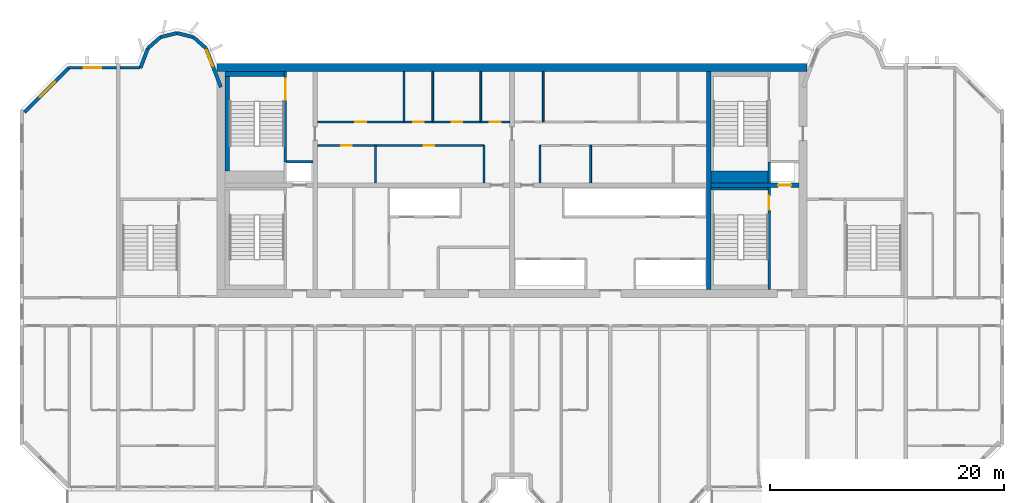
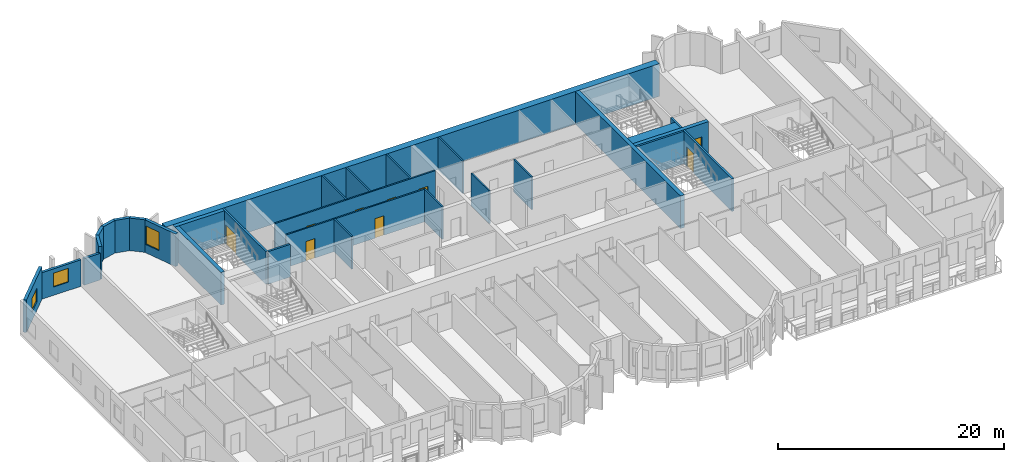
# One storey, part 7 of 13: 30 walls, 9 doors, 3 windows, 12 openings.
"""IFC4 building model written with IfcOpenShell, lengths in metres."""

from ifc_helpers import new_model, si_unit, direction, frame, frame_2d, origin, place, context, subcontext, project, spatial, rectangle, extrude, source, transform, mapped, material, layer, layer_set, type_object, element, fill, save


model = new_model("IFC4")

# Units and contexts
model_context = context("Model", 3, precision=1e-05, world=origin(), true_north=direction((0.0, 1.0)))
body_context = subcontext(model_context, "Body", "Model", "MODEL_VIEW")
ifc_project = project(units=[si_unit("LENGTHUNIT", "METRE"), si_unit("AREAUNIT", "SQUARE_METRE"), si_unit("VOLUMEUNIT", "CUBIC_METRE"), si_unit("PLANEANGLEUNIT", "RADIAN"), si_unit("MASSUNIT", "GRAM", prefix="KILO")], contexts=[model_context])

# Site, building, storey
site_placement = place(None, origin())
site = spatial("IfcSite", under=ifc_project, at=site_placement, CompositionType="ELEMENT")
building_placement = place(site_placement, origin())
building = spatial("IfcBuilding", under=site, at=building_placement, Name="Vanashikhar Sky Hotel", CompositionType="ELEMENT")
storey_placement = place(building_placement, frame((0.0, 0.0, 166.800048828125)))
storey = spatial("IfcBuildingStorey", under=building, at=storey_placement, Name="L40", CompositionType="ELEMENT", Elevation=166.800048828125)

# Walls
ifc_material_1 = material(Name="Concrete M60", Category="concrete")
ifc_layer_1 = layer(ifc_material_1, 0.39990234375)
ifc_layer_set_1 = layer_set([ifc_layer_1], Name="RC core inner wall 400 Concrete M60")
wall_type_1 = type_object("IfcWallType", Name="RC core inner wall 400 Concrete M60", PredefinedType="SHEAR", material=ifc_layer_set_1)
shared_shape_1 = source(origin(), body_context, "Body", "SweptSolid", [
    extrude(rectangle(XDim=18.60009765625, YDim=0.39990234375, at=frame_2d((9.300048828125, 0.0))), origin(), (0.0, 0.0, 1.0), 3.52001953125),
])
wall_1_placement = place(storey_placement, frame((67.199951171875, 22.699951171875, 0.0), z_axis=(0.0, 0.0, 1.0), x_axis=(0.0, 1.0, 0.0)))
element("IfcWall", 1, at=wall_1_placement, inside=storey, type_object=wall_type_1, Name="KW-L40-KX3", PredefinedType="SHEAR", context=body_context, shape_type="MappedRepresentation", body=[
    mapped(shared_shape_1, transform((0.0, 0.0, 0.0), scale=1.0)),
])
ifc_layer_2 = layer(ifc_material_1, 0.699951171875)
ifc_layer_set_2 = layer_set([ifc_layer_2], Name="RC core shell wall 700 Concrete M60")
wall_type_2 = type_object("IfcWallType", Name="RC core shell wall 700 Concrete M60", PredefinedType="SHEAR", material=ifc_layer_set_2)
shared_shape_2 = source(origin(), body_context, "Body", "SweptSolid", [
    extrude(rectangle(XDim=50.400146484375, YDim=0.699951171875, at=frame_2d((25.2001953125, 0.0))), origin(), (0.0, 0.0, 1.0), 3.52001953125),
])
wall_2_placement = place(storey_placement, frame((25.199951171875, 41.64990234375, 0.0), z_axis=(0.0, 0.0, 1.0), x_axis=(1.0, 0.0, 0.0)))
element("IfcWall", 2, at=wall_2_placement, inside=storey, type_object=wall_type_2, Name="KW-L40-KN", PredefinedType="SHEAR", context=body_context, shape_type="MappedRepresentation", body=[
    mapped(shared_shape_2, transform((0.0, 0.0, 0.0), scale=1.0)),
])

# Wall, opening, door
shared_shape_3 = source(origin(), body_context, "Body", "SweptSolid", [
    extrude(rectangle(XDim=7.5, YDim=0.39990234375, at=frame_2d((3.75, 0.0))), origin(), (0.0, 0.0, 1.0), 3.52001953125),
])
wall_3_placement = place(storey_placement, frame((67.39990234375, 31.60009765625, 0.0), z_axis=(0.0, 0.0, 1.0), x_axis=(1.0, 0.0, 0.0)))
wall_3 = element("IfcWall", 3, at=wall_3_placement, inside=storey, type_object=wall_type_1, Name="KW-L40-KY4", PredefinedType="SHEAR", context=body_context, shape_type="MappedRepresentation", body=[
    mapped(shared_shape_3, transform((0.0, 0.0, 0.0), scale=1.0)),
])
shared_shape_4 = source(origin(), body_context, "Body", "SweptSolid", [
    extrude(rectangle(XDim=1.10009765625, YDim=2.10009765625, at=frame_2d((0.550048828125, 1.050048828125))), frame((0.0, 0.2099609375, 0.0), z_axis=(0.0, -1.0, 0.0), x_axis=(1.0, 0.0, 0.0)), (0.0, 0.0, 1.0), 0.419921875),
])
opening_1_placement = place(wall_3_placement, frame((5.72509765625, 0.0, 0.0)))
opening_1 = element("IfcOpeningElement", 4, at=opening_1_placement, cuts=wall_3, Name="Opening LD", PredefinedType="OPENING", context=body_context, shape_type="MappedRepresentation", body=[
    mapped(shared_shape_4, transform((0.0, 0.0, 0.0), scale=1.0)),
])
ifc_material_2 = material(Name="Stainless steel", Category="steel")
door_type_1 = type_object("IfcDoorType", Name="Lift landing door 1100", OperationType="NOTDEFINED", PredefinedType="DOOR", material=ifc_material_2)
shared_shape_5 = source(origin(), body_context, "Body", "SweptSolid", [
    extrude(rectangle(XDim=1.10009765625, YDim=2.10009765625, at=frame_2d((0.550048828125, 1.050048828125))), frame((0.0, 0.02490234375, 0.0), z_axis=(0.0, -1.0, 0.0), x_axis=(1.0, 0.0, 0.0)), (0.0, 0.0, 1.0), 0.050048828125),
])
door_1_placement = place(opening_1_placement, origin())
door_1 = element("IfcDoor", 5, at=door_1_placement, inside=storey, type_object=door_type_1, Name="Lift landing door 1100", OperationType="SLIDING_TO_LEFT", OverallHeight=2.10009765625, OverallWidth=1.10009765625, PredefinedType="DOOR", context=body_context, shape_type="MappedRepresentation", body=[
    mapped(shared_shape_5, transform((0.0, 0.0, 0.0), scale=1.0)),
])
fill(opening_1, door_1)

# Wall, opening, window
ifc_material_3 = material(Name="Concrete M50", Category="concrete")
ifc_layer_3 = layer(ifc_material_3, 0.300048828125)
ifc_layer_set_3 = layer_set([ifc_layer_3], Name="Lobe wall 300")
wall_type_3 = type_object("IfcWallType", Name="Lobe wall 300", PredefinedType="SOLIDWALL", material=ifc_layer_set_3)
shared_shape_6 = source(origin(), body_context, "Body", "SweptSolid", [
    extrude(rectangle(XDim=5.32568359375, YDim=0.300048828125, at=frame_2d((2.662841796875, 0.0))), origin(), (0.0, 0.0, 1.0), 3.52001953125),
])
wall_4_placement = place(storey_placement, frame((12.565673828125, 41.60009765625, 0.0), z_axis=(0.0, 0.0, 1.0), x_axis=(-0.707083859269, -0.707129702361, 0.0)))
wall_4 = element("IfcWall", 6, at=wall_4_placement, inside=storey, type_object=wall_type_3, Name="Corner wall", PredefinedType="SOLIDWALL", context=body_context, shape_type="MappedRepresentation", body=[
    mapped(shared_shape_6, transform((0.0, 0.0, 0.0), scale=1.0)),
])
shared_shape_7 = source(origin(), body_context, "Body", "SweptSolid", [
    extrude(rectangle(XDim=1.800048828125, YDim=1.5, at=frame_2d((0.89990234375, 0.75))), frame((0.0, 0.16015625, 0.0), z_axis=(0.0, -1.0, 0.0), x_axis=(1.0, 0.0, 0.0)), (0.0, 0.0, 1.0), 0.320068359375),
])
opening_2_placement = place(wall_4_placement, frame((1.689453125, 0.0, 0.89990234375)))
opening_2 = element("IfcOpeningElement", 7, at=opening_2_placement, cuts=wall_4, Name="Opening WN-4", PredefinedType="OPENING", context=body_context, shape_type="MappedRepresentation", body=[
    mapped(shared_shape_7, transform((0.0, 0.0, 0.0), scale=1.0)),
])
ifc_material_4 = material(Name="Glass", Category="glass")
window_type_1 = type_object("IfcWindowType", Name="Corner window 1800 x 1500", PartitioningType="SINGLE_PANEL", PredefinedType="WINDOW", material=ifc_material_4)
shared_shape_8 = source(origin(), body_context, "Body", "SweptSolid", [
    extrude(rectangle(XDim=1.800048828125, YDim=1.5, at=frame_2d((0.89990234375, 0.75))), frame((0.0, 0.030029296875, 0.0), z_axis=(0.0, -1.0, 0.0), x_axis=(1.0, 0.0, 0.0)), (0.0, 0.0, 1.0), 0.06005859375),
])
window_1_placement = place(opening_2_placement, origin())
window_1 = element("IfcWindow", 8, at=window_1_placement, inside=storey, type_object=window_type_1, Name="Window WN-4", OverallHeight=1.5, OverallWidth=1.800048828125, PartitioningType="SINGLE_PANEL", PredefinedType="WINDOW", context=body_context, shape_type="MappedRepresentation", body=[
    mapped(shared_shape_8, transform((0.0, 0.0, 0.0), scale=1.0)),
])
fill(opening_2, window_1)

shared_shape_9 = source(origin(), body_context, "Body", "SweptSolid", [
    extrude(rectangle(XDim=3.55908203125, YDim=0.300048828125, at=frame_2d((1.779541015625, 0.0))), origin(), (0.0, 0.0, 1.0), 3.52001953125),
])
wall_5_placement = place(storey_placement, frame((25.550048828125, 39.968505859375, 0.0), z_axis=(0.0, 0.0, 1.0), x_axis=(-0.35779745313, 0.933799219604, 0.0)))
wall_5 = element("IfcWall", 9, at=wall_5_placement, inside=storey, type_object=wall_type_3, Name="Lobe wall", PredefinedType="SOLIDWALL", context=body_context, shape_type="MappedRepresentation", body=[
    mapped(shared_shape_9, transform((0.0, 0.0, 0.0), scale=1.0)),
])
shared_shape_10 = source(origin(), body_context, "Body", "SweptSolid", [
    extrude(rectangle(XDim=1.5, YDim=2.0, at=frame_2d((0.75, 1.0))), frame((0.0, 0.16015625, 0.0), z_axis=(0.0, -1.0, 0.0), x_axis=(1.0, 0.0, 0.0)), (0.0, 0.0, 1.0), 0.320068359375),
])
opening_3_placement = place(wall_5_placement, frame((1.9033203125, 0.0, 0.89990234375)))
opening_3 = element("IfcOpeningElement", 10, at=opening_3_placement, cuts=wall_5, Name="Opening WN-2", PredefinedType="OPENING", context=body_context, shape_type="MappedRepresentation", body=[
    mapped(shared_shape_10, transform((0.0, 0.0, 0.0), scale=1.0)),
])
window_type_2 = type_object("IfcWindowType", Name="Lobe window 1500 x 2000", PartitioningType="SINGLE_PANEL", PredefinedType="WINDOW", material=ifc_material_4)
shared_shape_11 = source(origin(), body_context, "Body", "SweptSolid", [
    extrude(rectangle(XDim=1.5, YDim=2.0, at=frame_2d((0.75, 1.0))), frame((0.0, 0.030029296875, 0.0), z_axis=(0.0, -1.0, 0.0), x_axis=(1.0, 0.0, 0.0)), (0.0, 0.0, 1.0), 0.06005859375),
])
window_2_placement = place(opening_3_placement, origin())
window_2 = element("IfcWindow", 11, at=window_2_placement, inside=storey, type_object=window_type_2, Name="Window WN-2", OverallHeight=2.0, OverallWidth=1.5, PartitioningType="SINGLE_PANEL", PredefinedType="WINDOW", context=body_context, shape_type="MappedRepresentation", body=[
    mapped(shared_shape_11, transform((0.0, 0.0, 0.0), scale=1.0)),
])
fill(opening_3, window_2)

# Walls
shared_shape_12 = source(origin(), body_context, "Body", "SweptSolid", [
    extrude(rectangle(XDim=1.440185546875, YDim=0.300048828125, at=frame_2d((0.72021484375, 0.0))), origin(), (0.0, 0.0, 1.0), 3.52001953125),
])
wall_6_placement = place(storey_placement, frame((24.276611328125, 43.2919921875, 0.0), z_axis=(0.0, 0.0, 1.0), x_axis=(-0.749649827867, 0.661834673902, 0.0)))
element("IfcWall", 12, at=wall_6_placement, inside=storey, type_object=wall_type_3, Name="Lobe wall", PredefinedType="SOLIDWALL", context=body_context, shape_type="MappedRepresentation", body=[
    mapped(shared_shape_12, transform((0.0, 0.0, 0.0), scale=1.0)),
])
shared_shape_13 = source(origin(), body_context, "Body", "SweptSolid", [
    extrude(rectangle(XDim=1.4384765625, YDim=0.300048828125, at=frame_2d((0.71923828125, 0.0))), origin(), (0.0, 0.0, 1.0), 3.52001953125),
])
wall_7_placement = place(storey_placement, frame((23.197021484375, 44.2451171875, 0.0), z_axis=(0.0, 0.0, 1.0), x_axis=(-0.971152283879, 0.238460146601, 0.0)))
element("IfcWall", 13, at=wall_7_placement, inside=storey, type_object=wall_type_3, Name="Lobe wall", PredefinedType="SOLIDWALL", context=body_context, shape_type="MappedRepresentation", body=[
    mapped(shared_shape_13, transform((0.0, 0.0, 0.0), scale=1.0)),
])
shared_shape_14 = source(origin(), body_context, "Body", "SweptSolid", [
    extrude(rectangle(XDim=1.438720703125, YDim=0.300048828125, at=frame_2d((0.71923828125, 0.0))), origin(), (0.0, 0.0, 1.0), 3.52001953125),
])
wall_8_placement = place(storey_placement, frame((21.800048828125, 44.588134765625, 0.0), z_axis=(0.0, 0.0, 1.0), x_axis=(-0.971161932466, -0.238420848351, 0.0)))
element("IfcWall", 14, at=wall_8_placement, inside=storey, type_object=wall_type_3, Name="Lobe wall", PredefinedType="SOLIDWALL", context=body_context, shape_type="MappedRepresentation", body=[
    mapped(shared_shape_14, transform((0.0, 0.0, 0.0), scale=1.0)),
])
shared_shape_15 = source(origin(), body_context, "Body", "SweptSolid", [
    extrude(rectangle(XDim=1.43994140625, YDim=0.300048828125, at=frame_2d((0.719970703125, 0.0))), origin(), (0.0, 0.0, 1.0), 3.52001953125),
])
wall_9_placement = place(storey_placement, frame((20.40283203125, 44.2451171875, 0.0), z_axis=(0.0, 0.0, 1.0), x_axis=(-0.74957555648, -0.661918790432, 0.0)))
element("IfcWall", 15, at=wall_9_placement, inside=storey, type_object=wall_type_3, Name="Lobe wall", PredefinedType="SOLIDWALL", context=body_context, shape_type="MappedRepresentation", body=[
    mapped(shared_shape_15, transform((0.0, 0.0, 0.0), scale=1.0)),
])
shared_shape_16 = source(origin(), body_context, "Body", "SweptSolid", [
    extrude(rectangle(XDim=1.81201171875, YDim=0.300048828125, at=frame_2d((0.906005859375, 0.0))), origin(), (0.0, 0.0, 1.0), 3.52001953125),
])
wall_10_placement = place(storey_placement, frame((19.323486328125, 43.2919921875, 0.0), z_axis=(0.0, 0.0, 1.0), x_axis=(-0.357877270961, -0.93376863244, 0.0)))
element("IfcWall", 16, at=wall_10_placement, inside=storey, type_object=wall_type_3, Name="Lobe wall", PredefinedType="SOLIDWALL", context=body_context, shape_type="MappedRepresentation", body=[
    mapped(shared_shape_16, transform((0.0, 0.0, 0.0), scale=1.0)),
])
ifc_layer_4 = layer(ifc_material_3, 0.25)
ifc_layer_set_4 = layer_set([ifc_layer_4], Name="Rear and end board-marked wall 250")
wall_type_4 = type_object("IfcWallType", Name="Rear and end board-marked wall 250", PredefinedType="SOLIDWALL", material=ifc_layer_set_4)
shared_shape_17 = source(origin(), body_context, "Body", "SweptSolid", [
    extrude(rectangle(XDim=1.7080078125, YDim=0.25, at=frame_2d((0.85400390625, 0.0))), origin(), (0.0, 0.0, 1.0), 2.869873046875),
])
wall_11_placement = place(storey_placement, frame((18.657958984375, 41.625, 0.0), z_axis=(0.0, 0.0, 1.0), x_axis=(-1.0, 0.0, 0.0)))
element("IfcWall", 17, at=wall_11_placement, inside=storey, type_object=wall_type_4, Name="Rear board-marked wall", PredefinedType="SOLIDWALL", context=body_context, shape_type="MappedRepresentation", body=[
    mapped(shared_shape_17, transform((0.0, 0.0, 0.0), scale=1.0)),
])

# Wall, opening, window
shared_shape_18 = source(origin(), body_context, "Body", "SweptSolid", [
    extrude(rectangle(XDim=4.094482421875, YDim=0.25, at=frame_2d((2.04736328125, 0.0))), origin(), (0.0, 0.0, 1.0), 2.869873046875),
])
wall_12_placement = place(storey_placement, frame((16.64990234375, 41.625, 0.0), z_axis=(0.0, 0.0, 1.0), x_axis=(-1.0, 0.0, 0.0)))
wall_12 = element("IfcWall", 18, at=wall_12_placement, inside=storey, type_object=wall_type_4, Name="Rear board-marked wall", PredefinedType="SOLIDWALL", context=body_context, shape_type="MappedRepresentation", body=[
    mapped(shared_shape_18, transform((0.0, 0.0, 0.0), scale=1.0)),
])
shared_shape_19 = source(origin(), body_context, "Body", "SweptSolid", [
    extrude(rectangle(XDim=1.5, YDim=1.5, at=frame_2d((0.75, 0.75))), frame((0.0, 0.135009765625, 0.0), z_axis=(0.0, -1.0, 0.0), x_axis=(1.0, 0.0, 0.0)), (0.0, 0.0, 1.0), 0.27001953125),
])
opening_4_placement = place(wall_12_placement, frame((1.29736328125, 0.0, 0.89990234375)))
opening_4 = element("IfcOpeningElement", 19, at=opening_4_placement, cuts=wall_12, Name="Opening WN-1", PredefinedType="OPENING", context=body_context, shape_type="MappedRepresentation", body=[
    mapped(shared_shape_19, transform((0.0, 0.0, 0.0), scale=1.0)),
])
window_type_3 = type_object("IfcWindowType", Name="Window 1500 x 1500", PartitioningType="SINGLE_PANEL", PredefinedType="WINDOW", material=ifc_material_4)
shared_shape_20 = source(origin(), body_context, "Body", "SweptSolid", [
    extrude(rectangle(XDim=1.5, YDim=1.5, at=frame_2d((0.75, 0.75))), frame((0.0, 0.030029296875, 0.0), z_axis=(0.0, -1.0, 0.0), x_axis=(1.0, 0.0, 0.0)), (0.0, 0.0, 1.0), 0.06005859375),
])
window_3_placement = place(opening_4_placement, origin())
window_3 = element("IfcWindow", 20, at=window_3_placement, inside=storey, type_object=window_type_3, Name="Window WN-1", OverallHeight=1.5, OverallWidth=1.5, PartitioningType="SINGLE_PANEL", PredefinedType="WINDOW", context=body_context, shape_type="MappedRepresentation", body=[
    mapped(shared_shape_20, transform((0.0, 0.0, 0.0), scale=1.0)),
])
fill(opening_4, window_3)

# Walls
ifc_material_5 = material(Name="Concrete M40", Category="concrete")
ifc_layer_5 = layer(ifc_material_5, 0.199951171875)
ifc_layer_set_5 = layer_set([ifc_layer_5], Name="Shaft wall 200")
wall_type_5 = type_object("IfcWallType", Name="Shaft wall 200", PredefinedType="SOLIDWALL", material=ifc_layer_set_5)
shared_shape_21 = source(origin(), body_context, "Body", "SweptSolid", [
    extrude(rectangle(XDim=2.25, YDim=0.199951171875, at=frame_2d((1.125, 0.0))), origin(), (0.0, 0.0, 1.0), 3.52001953125),
])
wall_13_placement = place(storey_placement, frame((31.14990234375, 33.60009765625, 0.0), z_axis=(0.0, 0.0, 1.0), x_axis=(1.0, 0.0, 0.0)))
element("IfcWall", 21, at=wall_13_placement, inside=storey, type_object=wall_type_5, Name="Shaft wall 200", PredefinedType="SOLIDWALL", context=body_context, shape_type="MappedRepresentation", body=[
    mapped(shared_shape_21, transform((0.0, 0.0, 0.0), scale=1.0)),
])
ifc_material_6 = material(Name="Gypsum board partition")
ifc_layer_6 = layer(ifc_material_6, 0.14990234375)
ifc_layer_set_6 = layer_set([ifc_layer_6], Name="Service partition 150")
wall_type_6 = type_object("IfcWallType", Name="Service partition 150", PredefinedType="PARTITIONING", material=ifc_layer_set_6)
shared_shape_22 = source(origin(), body_context, "Body", "SweptSolid", [
    extrude(rectangle(XDim=3.199951171875, YDim=0.14990234375, at=frame_2d((1.60009765625, 0.0))), origin(), (0.0, 0.0, 1.0), 3.52001953125),
])
for number, where, z_axis, x_axis, name in (
    (22, (48.0, 31.800048828125, 0.0), (0.0, 0.0, 1.0), (0.0, 1.0, 0.0), "Service partition 150"),
    (23, (38.743896484375, 31.800048828125, 0.0), (0.0, 0.0, 1.0), (0.0, 1.0, 0.0), "Service partition 150"),
    (24, (52.800048828125, 31.800048828125, 0.0), (0.0, 0.0, 1.0), (0.0, 1.0, 0.0), "Service partition 150"),
    (25, (57.112060546875, 31.800048828125, 0.0), (0.0, 0.0, 1.0), (0.0, 1.0, 0.0), "Service partition 150"),
):
    element("IfcWall", number, at=place(storey_placement, frame(where, z_axis=z_axis, x_axis=x_axis)), inside=storey, type_object=wall_type_6, Name=name, PredefinedType="PARTITIONING", context=body_context, shape_type="MappedRepresentation", body=[
        mapped(shared_shape_22, transform((0.0, 0.0, 0.0), scale=1.0)),
    ])

# Wall, openings, doors
shared_shape_23 = source(origin(), body_context, "Body", "SweptSolid", [
    extrude(rectangle(XDim=14.199951171875, YDim=0.14990234375, at=frame_2d((7.10009765625, 0.0))), origin(), (0.0, 0.0, 1.0), 3.52001953125),
])
wall_14_placement = place(storey_placement, frame((33.800048828125, 35.0, 0.0), z_axis=(0.0, 0.0, 1.0), x_axis=(1.0, 0.0, 0.0)))
wall_14 = element("IfcWall", 26, at=wall_14_placement, inside=storey, type_object=wall_type_6, Name="Service partition 150", PredefinedType="PARTITIONING", context=body_context, shape_type="MappedRepresentation", body=[
    mapped(shared_shape_23, transform((0.0, 0.0, 0.0), scale=1.0)),
])
shared_shape_24 = source(origin(), body_context, "Body", "SweptSolid", [
    extrude(rectangle(XDim=0.89990234375, YDim=2.10009765625, at=frame_2d((0.449951171875, 1.050048828125))), frame((0.0, 0.0849609375, 0.0), z_axis=(0.0, -1.0, 0.0), x_axis=(1.0, 0.0, 0.0)), (0.0, 0.0, 1.0), 0.169921875),
])
opening_5_placement = place(wall_14_placement, frame((2.02197265625, 0.0, 0.0)))
opening_5 = element("IfcOpeningElement", 27, at=opening_5_placement, cuts=wall_14, Name="Opening DC-4-A", PredefinedType="OPENING", context=body_context, shape_type="MappedRepresentation", body=[
    mapped(shared_shape_24, transform((0.0, 0.0, 0.0), scale=1.0)),
])
opening_6_placement = place(wall_14_placement, frame((9.083984375, 0.0, 0.0)))
opening_6 = element("IfcOpeningElement", 28, at=opening_6_placement, cuts=wall_14, Name="Opening DC-4-A", PredefinedType="OPENING", context=body_context, shape_type="MappedRepresentation", body=[
    mapped(shared_shape_24, transform((0.0, 0.0, 0.0), scale=1.0)),
])
ifc_material_7 = material(Name="Steel", Category="steel")
door_type_2 = type_object("IfcDoorType", Name="Service door 900 FD60", OperationType="NOTDEFINED", PredefinedType="DOOR", material=ifc_material_7)
shared_shape_25 = source(origin(), body_context, "Body", "SweptSolid", [
    extrude(rectangle(XDim=0.89990234375, YDim=2.10009765625, at=frame_2d((0.449951171875, 1.050048828125))), frame((0.0, 0.02490234375, 0.0), z_axis=(0.0, -1.0, 0.0), x_axis=(1.0, 0.0, 0.0)), (0.0, 0.0, 1.0), 0.050048828125),
])
door_2_placement = place(opening_5_placement, origin())
door_2 = element("IfcDoor", 29, at=door_2_placement, inside=storey, type_object=door_type_2, Name="Service door 900 FD60", OperationType="SINGLE_SWING_LEFT", OverallHeight=2.10009765625, OverallWidth=0.89990234375, PredefinedType="DOOR", context=body_context, shape_type="MappedRepresentation", body=[
    mapped(shared_shape_25, transform((0.0, 0.0, 0.0), scale=1.0)),
])
fill(opening_5, door_2)
door_3_placement = place(opening_6_placement, origin())
door_3 = element("IfcDoor", 30, at=door_3_placement, inside=storey, type_object=door_type_2, Name="Service door 900 FD60", OperationType="SINGLE_SWING_RIGHT", OverallHeight=2.10009765625, OverallWidth=0.89990234375, PredefinedType="DOOR", context=body_context, shape_type="MappedRepresentation", body=[
    mapped(shared_shape_25, transform((0.0, 0.0, 0.0), scale=1.0)),
])
fill(opening_6, door_3)

shared_shape_26 = source(origin(), body_context, "Body", "SweptSolid", [
    extrude(rectangle(XDim=16.39990234375, YDim=0.14990234375, at=frame_2d((8.199951171875, 0.0))), origin(), (0.0, 0.0, 1.0), 3.52001953125),
])
wall_15_placement = place(storey_placement, frame((33.800048828125, 37.0, 0.0), z_axis=(0.0, 0.0, 1.0), x_axis=(1.0, 0.0, 0.0)))
wall_15 = element("IfcWall", 31, at=wall_15_placement, inside=storey, type_object=wall_type_6, Name="Service partition 150", PredefinedType="PARTITIONING", context=body_context, shape_type="MappedRepresentation", body=[
    mapped(shared_shape_26, transform((0.0, 0.0, 0.0), scale=1.0)),
])
opening_7_placement = place(wall_15_placement, frame((3.239990234375, 0.0, 0.0)))
opening_7 = element("IfcOpeningElement", 32, at=opening_7_placement, cuts=wall_15, Name="Opening DC-4-A", PredefinedType="OPENING", context=body_context, shape_type="MappedRepresentation", body=[
    mapped(shared_shape_24, transform((0.0, 0.0, 0.0), scale=1.0)),
])
opening_8_placement = place(wall_15_placement, frame((8.159912109375, 0.0, 0.0)))
opening_8 = element("IfcOpeningElement", 33, at=opening_8_placement, cuts=wall_15, Name="Opening DC-4-A", PredefinedType="OPENING", context=body_context, shape_type="MappedRepresentation", body=[
    mapped(shared_shape_24, transform((0.0, 0.0, 0.0), scale=1.0)),
])
opening_9_placement = place(wall_15_placement, frame((11.43994140625, 0.0, 0.0)))
opening_9 = element("IfcOpeningElement", 34, at=opening_9_placement, cuts=wall_15, Name="Opening DC-4-A", PredefinedType="OPENING", context=body_context, shape_type="MappedRepresentation", body=[
    mapped(shared_shape_24, transform((0.0, 0.0, 0.0), scale=1.0)),
])
opening_10_placement = place(wall_15_placement, frame((14.719970703125, 0.0, 0.0)))
opening_10 = element("IfcOpeningElement", 35, at=opening_10_placement, cuts=wall_15, Name="Opening DC-4-A", PredefinedType="OPENING", context=body_context, shape_type="MappedRepresentation", body=[
    mapped(shared_shape_24, transform((0.0, 0.0, 0.0), scale=1.0)),
])
door_4_placement = place(opening_7_placement, origin())
door_4 = element("IfcDoor", 36, at=door_4_placement, inside=storey, type_object=door_type_2, Name="Service door 900 FD60", OperationType="SINGLE_SWING_LEFT", OverallHeight=2.10009765625, OverallWidth=0.89990234375, PredefinedType="DOOR", context=body_context, shape_type="MappedRepresentation", body=[
    mapped(shared_shape_25, transform((0.0, 0.0, 0.0), scale=1.0)),
])
fill(opening_7, door_4)
door_5_placement = place(opening_8_placement, origin())
door_5 = element("IfcDoor", 37, at=door_5_placement, inside=storey, type_object=door_type_2, Name="Service door 900 FD60", OperationType="SINGLE_SWING_LEFT", OverallHeight=2.10009765625, OverallWidth=0.89990234375, PredefinedType="DOOR", context=body_context, shape_type="MappedRepresentation", body=[
    mapped(shared_shape_25, transform((0.0, 0.0, 0.0), scale=1.0)),
])
fill(opening_8, door_5)
door_6_placement = place(opening_9_placement, origin())
door_6 = element("IfcDoor", 38, at=door_6_placement, inside=storey, type_object=door_type_2, Name="Service door 900 FD60", OperationType="SINGLE_SWING_LEFT", OverallHeight=2.10009765625, OverallWidth=0.89990234375, PredefinedType="DOOR", context=body_context, shape_type="MappedRepresentation", body=[
    mapped(shared_shape_25, transform((0.0, 0.0, 0.0), scale=1.0)),
])
fill(opening_9, door_6)
door_7_placement = place(opening_10_placement, origin())
door_7 = element("IfcDoor", 39, at=door_7_placement, inside=storey, type_object=door_type_2, Name="Service door 900 FD60", OperationType="SINGLE_SWING_LEFT", OverallHeight=2.10009765625, OverallWidth=0.89990234375, PredefinedType="DOOR", context=body_context, shape_type="MappedRepresentation", body=[
    mapped(shared_shape_25, transform((0.0, 0.0, 0.0), scale=1.0)),
])
fill(opening_10, door_7)

# Walls
shared_shape_27 = source(origin(), body_context, "Body", "SweptSolid", [
    extrude(rectangle(XDim=4.300048828125, YDim=0.14990234375, at=frame_2d((2.14990234375, 0.0))), origin(), (0.0, 0.0, 1.0), 3.52001953125),
])
for number, where, z_axis, x_axis, name in (
    (40, (41.179931640625, 37.0, 0.0), (0.0, 0.0, 1.0), (0.0, 1.0, 0.0), "Service partition 150"),
    (41, (43.639892578125, 37.0, 0.0), (0.0, 0.0, 1.0), (0.0, 1.0, 0.0), "Service partition 150"),
    (42, (47.739990234375, 37.0, 0.0), (0.0, 0.0, 1.0), (0.0, 1.0, 0.0), "Service partition 150"),
    (43, (53.06005859375, 37.0, 0.0), (0.0, 0.0, 1.0), (0.0, 1.0, 0.0), "Service partition 150"),
):
    element("IfcWall", number, at=place(storey_placement, frame(where, z_axis=z_axis, x_axis=x_axis)), inside=storey, type_object=wall_type_6, Name=name, PredefinedType="PARTITIONING", context=body_context, shape_type="MappedRepresentation", body=[
        mapped(shared_shape_27, transform((0.0, 0.0, 0.0), scale=1.0)),
    ])

# Wall, opening, door
ifc_layer_7 = layer(ifc_material_3, 0.199951171875)
ifc_layer_set_7 = layer_set([ifc_layer_7], Name="Stair wall 200")
wall_type_7 = type_object("IfcWallType", Name="Stair wall 200", PredefinedType="SOLIDWALL", material=ifc_layer_set_7)
shared_shape_28 = source(origin(), body_context, "Body", "SweptSolid", [
    extrude(rectangle(XDim=8.699951171875, YDim=0.199951171875, at=frame_2d((4.35009765625, 0.0))), origin(), (0.0, 0.0, 1.0), 3.52001953125),
])
wall_16_placement = place(storey_placement, frame((72.35009765625, 22.699951171875, 0.0), z_axis=(0.0, 0.0, 1.0), x_axis=(0.0, 1.0, 0.0)))
wall_16 = element("IfcWall", 44, at=wall_16_placement, inside=storey, type_object=wall_type_7, Name="Stair wall 200", PredefinedType="SOLIDWALL", context=body_context, shape_type="MappedRepresentation", body=[
    mapped(shared_shape_28, transform((0.0, 0.0, 0.0), scale=1.0)),
])
shared_shape_29 = source(origin(), body_context, "Body", "SweptSolid", [
    extrude(rectangle(XDim=1.199951171875, YDim=2.10009765625, at=frame_2d((0.60009765625, 1.050048828125))), frame((0.0, 0.10986328125, 0.0), z_axis=(0.0, -1.0, 0.0), x_axis=(1.0, 0.0, 0.0)), (0.0, 0.0, 1.0), 0.219970703125),
])
opening_11_placement = place(wall_16_placement, frame((6.800048828125, 0.0, 0.0)))
opening_11 = element("IfcOpeningElement", 45, at=opening_11_placement, cuts=wall_16, Name="Opening DC-1", PredefinedType="OPENING", context=body_context, shape_type="MappedRepresentation", body=[
    mapped(shared_shape_29, transform((0.0, 0.0, 0.0), scale=1.0)),
])
door_type_3 = type_object("IfcDoorType", Name="Stair door 1200 FD120", OperationType="NOTDEFINED", PredefinedType="DOOR", material=ifc_material_7)
shared_shape_30 = source(origin(), body_context, "Body", "SweptSolid", [
    extrude(rectangle(XDim=1.199951171875, YDim=2.10009765625, at=frame_2d((0.60009765625, 1.050048828125))), frame((0.0, 0.02490234375, 0.0), z_axis=(0.0, -1.0, 0.0), x_axis=(1.0, 0.0, 0.0)), (0.0, 0.0, 1.0), 0.050048828125),
])
door_8_placement = place(opening_11_placement, origin())
door_8 = element("IfcDoor", 46, at=door_8_placement, inside=storey, type_object=door_type_3, Name="Stair door 1200 FD120", OperationType="SINGLE_SWING_RIGHT", OverallHeight=2.10009765625, OverallWidth=1.199951171875, PredefinedType="DOOR", context=body_context, shape_type="MappedRepresentation", body=[
    mapped(shared_shape_30, transform((0.0, 0.0, 0.0), scale=1.0)),
])
fill(opening_11, door_8)

# Wall
shared_shape_31 = source(origin(), body_context, "Body", "SweptSolid", [
    extrude(rectangle(XDim=1.800048828125, YDim=0.199951171875, at=frame_2d((0.89990234375, 0.0))), origin(), (0.0, 0.0, 1.0), 3.52001953125),
])
wall_17_placement = place(storey_placement, frame((72.35009765625, 31.800048828125, 0.0), z_axis=(0.0, 0.0, 1.0), x_axis=(0.0, 1.0, 0.0)))
element("IfcWall", 47, at=wall_17_placement, inside=storey, type_object=wall_type_5, Name="Shaft wall 200", PredefinedType="SOLIDWALL", context=body_context, shape_type="MappedRepresentation", body=[
    mapped(shared_shape_31, transform((0.0, 0.0, 0.0), scale=1.0)),
])

# Wall, opening, door
shared_shape_32 = source(origin(), body_context, "Body", "SweptSolid", [
    extrude(rectangle(XDim=7.699951171875, YDim=0.199951171875, at=frame_2d((3.85009765625, 0.0))), origin(), (0.0, 0.0, 1.0), 3.52001953125),
])
wall_18_placement = place(storey_placement, frame((31.050048828125, 33.60009765625, 0.0), z_axis=(0.0, 0.0, 1.0), x_axis=(0.0, 1.0, 0.0)))
wall_18 = element("IfcWall", 48, at=wall_18_placement, inside=storey, type_object=wall_type_7, Name="Stair wall 200", PredefinedType="SOLIDWALL", context=body_context, shape_type="MappedRepresentation", body=[
    mapped(shared_shape_32, transform((0.0, 0.0, 0.0), scale=1.0)),
])
shared_shape_33 = source(origin(), body_context, "Body", "SweptSolid", [
    extrude(rectangle(XDim=1.800048828125, YDim=2.10009765625, at=frame_2d((0.89990234375, 1.050048828125))), frame((0.0, 0.10986328125, 0.0), z_axis=(0.0, -1.0, 0.0), x_axis=(1.0, 0.0, 0.0)), (0.0, 0.0, 1.0), 0.219970703125),
])
opening_12_placement = place(wall_18_placement, frame((5.300048828125, 0.0, 0.0)))
opening_12 = element("IfcOpeningElement", 49, at=opening_12_placement, cuts=wall_18, Name="Opening DC-1-A", PredefinedType="OPENING", context=body_context, shape_type="MappedRepresentation", body=[
    mapped(shared_shape_33, transform((0.0, 0.0, 0.0), scale=1.0)),
])
door_type_4 = type_object("IfcDoorType", Name="Stair door 1800 FD120", OperationType="NOTDEFINED", PredefinedType="DOOR", material=ifc_material_7)
shared_shape_34 = source(origin(), body_context, "Body", "SweptSolid", [
    extrude(rectangle(XDim=1.800048828125, YDim=2.10009765625, at=frame_2d((0.89990234375, 1.050048828125))), frame((0.0, 0.02490234375, 0.0), z_axis=(0.0, -1.0, 0.0), x_axis=(1.0, 0.0, 0.0)), (0.0, 0.0, 1.0), 0.050048828125),
])
door_9_placement = place(opening_12_placement, origin())
door_9 = element("IfcDoor", 50, at=door_9_placement, inside=storey, type_object=door_type_4, Name="Stair door 1800 FD120", OperationType="SINGLE_SWING_RIGHT", OverallHeight=2.10009765625, OverallWidth=1.800048828125, PredefinedType="DOOR", context=body_context, shape_type="MappedRepresentation", body=[
    mapped(shared_shape_34, transform((0.0, 0.0, 0.0), scale=1.0)),
])
fill(opening_12, door_9)

# Walls
ifc_layer_8 = layer(ifc_material_3, 0.39990234375)
ifc_layer_set_8 = layer_set([ifc_layer_8], Name="Stair infill wall 400")
wall_type_8 = type_object("IfcWallType", Name="Stair infill wall 400", PredefinedType="SOLIDWALL", material=ifc_layer_set_8)
shared_shape_35 = source(origin(), body_context, "Body", "SweptSolid", [
    extrude(rectangle(XDim=5.050048828125, YDim=0.39990234375, at=frame_2d((2.52490234375, 0.0))), origin(), (0.0, 0.0, 1.0), 3.52001953125),
])
wall_19_placement = place(storey_placement, frame((25.89990234375, 41.10009765625, 0.0), z_axis=(0.0, 0.0, 1.0), x_axis=(1.0, 0.0, 0.0)))
element("IfcWall", 51, at=wall_19_placement, inside=storey, type_object=wall_type_8, Name="Stair infill wall 400", PredefinedType="SOLIDWALL", context=body_context, shape_type="MappedRepresentation", body=[
    mapped(shared_shape_35, transform((0.0, 0.0, 0.0), scale=1.0)),
])
shared_shape_36 = source(origin(), body_context, "Body", "SweptSolid", [
    extrude(rectangle(XDim=8.099853515625, YDim=0.39990234375, at=frame_2d((4.0498046875, 0.0))), origin(), (0.0, 0.0, 1.0), 3.52001953125),
])
wall_20_placement = place(storey_placement, frame((26.10009765625, 32.800048828125, 0.0), z_axis=(0.0, 0.0, 1.0), x_axis=(0.0, 1.0, 0.0)))
element("IfcWall", 52, at=wall_20_placement, inside=storey, type_object=wall_type_8, Name="Stair infill wall 400", PredefinedType="SOLIDWALL", context=body_context, shape_type="MappedRepresentation", body=[
    mapped(shared_shape_36, transform((0.0, 0.0, 0.0), scale=1.0)),
])
ifc_layer_9 = layer(ifc_material_3, 0.199951171875)
ifc_layer_set_9 = layer_set([ifc_layer_9], Name="Stair infill wall 200")
wall_type_9 = type_object("IfcWallType", Name="Stair infill wall 200", PredefinedType="SOLIDWALL", material=ifc_layer_set_9)
shared_shape_37 = source(origin(), body_context, "Body", "SweptSolid", [
    extrude(rectangle(XDim=4.85009765625, YDim=0.199951171875, at=frame_2d((2.425048828125, 0.0))), origin(), (0.0, 0.0, 1.0), 3.52001953125),
])
wall_21_placement = place(storey_placement, frame((67.39990234375, 31.300048828125, 0.0), z_axis=(0.0, 0.0, 1.0), x_axis=(1.0, 0.0, 0.0)))
element("IfcWall", 53, at=wall_21_placement, inside=storey, type_object=wall_type_9, Name="Stair infill wall 200", PredefinedType="SOLIDWALL", context=body_context, shape_type="MappedRepresentation", body=[
    mapped(shared_shape_37, transform((0.0, 0.0, 0.0), scale=1.0)),
])
ifc_layer_10 = layer(ifc_material_3, 1.0)
ifc_layer_set_10 = layer_set([ifc_layer_10], Name="Stair infill wall 1000")
wall_type_10 = type_object("IfcWallType", Name="Stair infill wall 1000", PredefinedType="SOLIDWALL", material=ifc_layer_set_10)
shared_shape_38 = source(origin(), body_context, "Body", "SweptSolid", [
    extrude(rectangle(XDim=4.85009765625, YDim=1.0, at=frame_2d((2.425048828125, 0.0))), origin(), (0.0, 0.0, 1.0), 3.52001953125),
])
wall_22_placement = place(storey_placement, frame((67.39990234375, 32.300048828125, 0.0), z_axis=(0.0, 0.0, 1.0), x_axis=(1.0, 0.0, 0.0)))
element("IfcWall", 54, at=wall_22_placement, inside=storey, type_object=wall_type_10, Name="Stair infill wall 1000", PredefinedType="SOLIDWALL", context=body_context, shape_type="MappedRepresentation", body=[
    mapped(shared_shape_38, transform((0.0, 0.0, 0.0), scale=1.0)),
])

save(model, "model.ifc")
